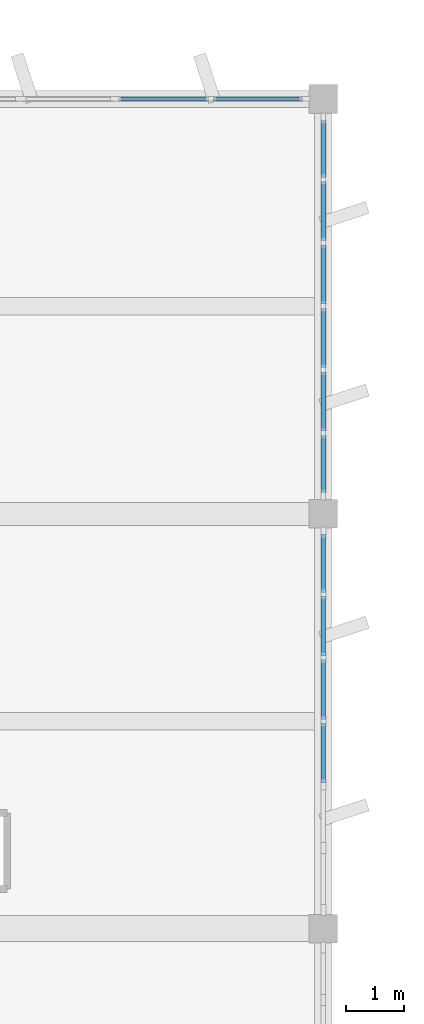
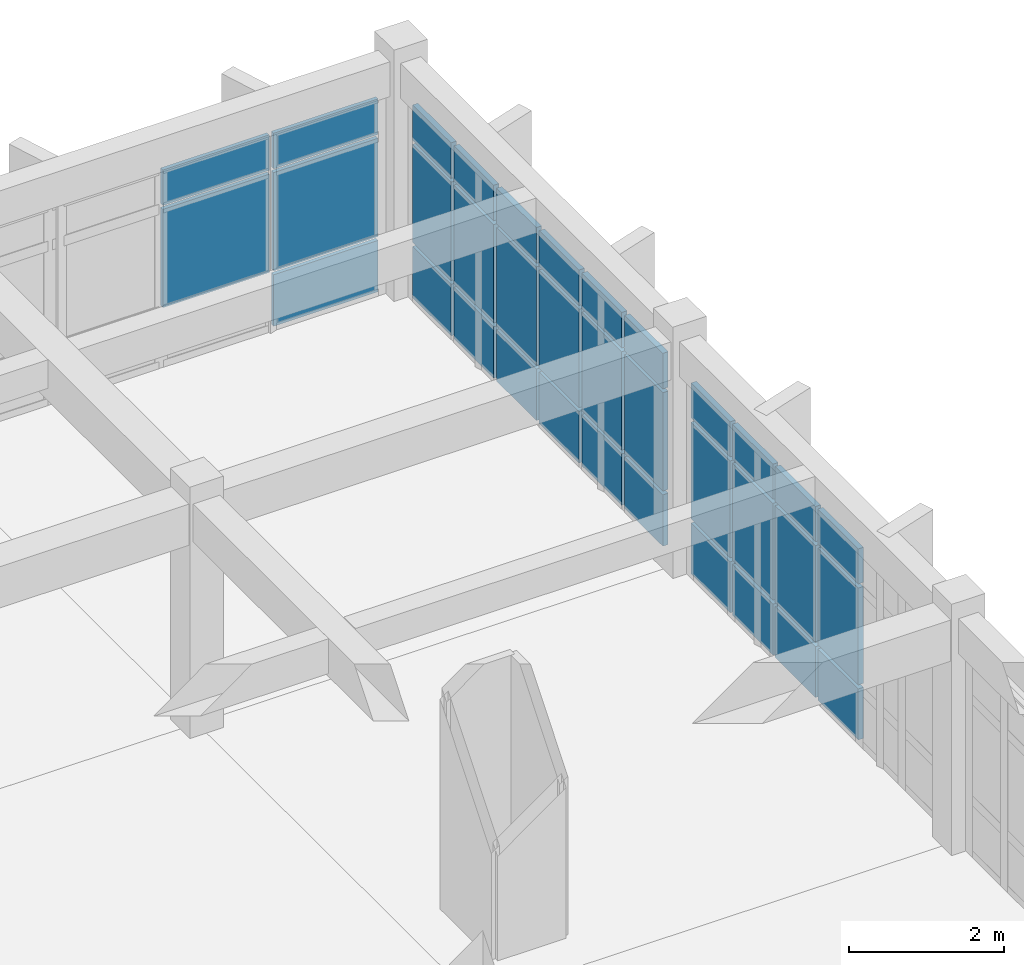
# One storey, part 28 of 40: 35 plates, 3 elements without a shape of their own.
"""IFC4 building model written with IfcOpenShell, lengths in metres."""

from ifc_helpers import new_model, si_unit, direction, frame, origin, origin_2d, place, context, subcontext, project, spatial, rectangle, extrude, material, layer, layer_set, type_object, element, aggregate, save


model = new_model("IFC4")

# Units and contexts
model_context = context("Model", 3, precision=1e-05, world=origin(), true_north=direction((0.0, 1.0)))
body_context = subcontext(model_context, "Body", "Model", "MODEL_VIEW")
ifc_project = project(units=[si_unit("LENGTHUNIT", "METRE"), si_unit("AREAUNIT", "SQUARE_METRE"), si_unit("VOLUMEUNIT", "CUBIC_METRE"), si_unit("PLANEANGLEUNIT", "RADIAN"), si_unit("MASSUNIT", "GRAM", prefix="KILO")], contexts=[model_context])

# Site, building, storey
site_placement = place(None, origin())
site = spatial("IfcSite", under=ifc_project, at=site_placement, CompositionType="ELEMENT")
building_placement = place(site_placement, origin())
building = spatial("IfcBuilding", under=site, at=building_placement, Name="Kavelor Marine Aquarium", CompositionType="ELEMENT")
storey_placement = place(building_placement, frame((0.0, 0.0, 17.639892578125)))
storey = spatial("IfcBuildingStorey", under=building, at=storey_placement, Name="L04", CompositionType="ELEMENT", Elevation=17.639892578125)

# Curtain wall, plates
ifc_material_1 = material(Name="Thermally Broken Aluminium and Low-E Glass", Category="aluminium")
ifc_layer_1 = layer(ifc_material_1, 0.27587890625)
ifc_layer_set_1 = layer_set([ifc_layer_1], Name="CW-SYS17")
curtain_wall_type_1 = type_object("IfcCurtainWallType", Name="CW-SYS17", PredefinedType="USERDEFINED", material=ifc_layer_set_1)
curtain_wall_1_placement = place(storey_placement, origin())
curtain_wall_1 = element("IfcCurtainWall", 1, at=curtain_wall_1_placement, inside=storey, type_object=curtain_wall_type_1, Name="cw:x:L04:19_15", ObjectType="Curtain Wall", PredefinedType="USERDEFINED")
ifc_material_2 = material(Name="Solar-Control Double Low-E Glazing", Category="glass")
ifc_layer_2 = layer(ifc_material_2, 0.05810546875)
ifc_layer_set_2 = layer_set([ifc_layer_2], Name="CWP-17")
plate_type_1 = type_object("IfcPlateType", Name="CWP-17", PredefinedType="CURTAIN_PANEL", material=ifc_layer_set_2)
plate_1_placement = place(storey_placement, frame((144.42626953125, 110.800048828125, 0.93017578125), z_axis=(0.0, 0.0, 1.0), x_axis=(1.0, 0.0, 0.0)))
plate_1 = element("IfcPlate", 2, at=plate_1_placement, type_object=plate_type_1, Name="CW17 panel 3.2", PredefinedType="CURTAIN_PANEL", context=body_context, shape_type="SweptSolid", body=[
    extrude(rectangle(XDim=1.58740234375, YDim=0.05810546875, at=origin_2d()), origin(), (0.0, 0.0, 1.0), 1.550048828125),
])
plate_2_placement = place(storey_placement, frame((144.42626953125, 110.800048828125, 2.5400390625), z_axis=(0.0, 0.0, 1.0), x_axis=(1.0, 0.0, 0.0)))
plate_2 = element("IfcPlate", 3, at=plate_2_placement, type_object=plate_type_1, Name="CW17 panel 3.3", PredefinedType="CURTAIN_PANEL", context=body_context, shape_type="SweptSolid", body=[
    extrude(rectangle(XDim=1.58740234375, YDim=0.05810546875, at=origin_2d()), origin(), (0.0, 0.0, 1.0), 0.56005859375),
])
plate_3_placement = place(storey_placement, frame((146.0625, 110.800048828125, 0.06005859375), z_axis=(0.0, 0.0, 1.0), x_axis=(1.0, 0.0, 0.0)))
plate_3 = element("IfcPlate", 4, at=plate_3_placement, type_object=plate_type_1, Name="CW17 panel 4.1", PredefinedType="CURTAIN_PANEL", context=body_context, shape_type="SweptSolid", body=[
    extrude(rectangle(XDim=1.554931640625, YDim=0.05810546875, at=origin_2d()), origin(), (0.0, 0.0, 1.0), 0.81005859375),
])
plate_4_placement = place(storey_placement, frame((146.0625, 110.800048828125, 0.93017578125), z_axis=(0.0, 0.0, 1.0), x_axis=(1.0, 0.0, 0.0)))
plate_4 = element("IfcPlate", 5, at=plate_4_placement, type_object=plate_type_1, Name="CW17 panel 4.2", PredefinedType="CURTAIN_PANEL", context=body_context, shape_type="SweptSolid", body=[
    extrude(rectangle(XDim=1.554931640625, YDim=0.05810546875, at=origin_2d()), origin(), (0.0, 0.0, 1.0), 1.550048828125),
])
plate_5_placement = place(storey_placement, frame((146.0625, 110.800048828125, 2.5400390625), z_axis=(0.0, 0.0, 1.0), x_axis=(1.0, 0.0, 0.0)))
plate_5 = element("IfcPlate", 6, at=plate_5_placement, type_object=plate_type_1, Name="CW17 panel 4.3", PredefinedType="CURTAIN_PANEL", context=body_context, shape_type="SweptSolid", body=[
    extrude(rectangle(XDim=1.554931640625, YDim=0.05810546875, at=origin_2d()), origin(), (0.0, 0.0, 1.0), 0.56005859375),
])
aggregate(curtain_wall_1, [plate_1, plate_2, plate_3, plate_4, plate_5])

ifc_material_3 = material(Name="Thermally Broken Aluminium and Low-E Glass", Category="aluminium")
ifc_layer_3 = layer(ifc_material_3, 0.1640625)
ifc_layer_set_3 = layer_set([ifc_layer_3], Name="CW-SYS3")
curtain_wall_type_2 = type_object("IfcCurtainWallType", Name="CW-SYS3", PredefinedType="USERDEFINED", material=ifc_layer_set_3)
curtain_wall_2_placement = place(storey_placement, origin())
curtain_wall_2 = element("IfcCurtainWall", 7, at=curtain_wall_2_placement, inside=storey, type_object=curtain_wall_type_2, Name="cw:y:L04:20_13", ObjectType="Curtain Wall", PredefinedType="USERDEFINED")
ifc_material_4 = material(Name="Solar-Control Double Low-E Glazing", Category="glass")
ifc_layer_4 = layer(ifc_material_4, 0.077880859375)
ifc_layer_set_4 = layer_set([ifc_layer_4], Name="CWP-27")
plate_type_2 = type_object("IfcPlateType", Name="CWP-27", PredefinedType="CURTAIN_PANEL", material=ifc_layer_set_4)
plate_6_placement = place(storey_placement, frame((147.199951171875, 99.44921875, 0.06494140625), z_axis=(0.0, 0.0, 1.0), x_axis=(0.0, 1.0, 0.0)))
plate_6 = element("IfcPlate", 8, at=plate_6_placement, type_object=plate_type_2, Name="CW03 panel 3.1", PredefinedType="CURTAIN_PANEL", context=body_context, shape_type="SweptSolid", body=[
    extrude(rectangle(XDim=1.041748046875, YDim=0.077880859375, at=origin_2d()), origin(), (0.0, 0.0, 1.0), 0.802490234375),
])
plate_7_placement = place(storey_placement, frame((147.199951171875, 99.44921875, 0.9326171875), z_axis=(0.0, 0.0, 1.0), x_axis=(0.0, 1.0, 0.0)))
plate_7 = element("IfcPlate", 9, at=plate_7_placement, type_object=plate_type_2, Name="CW03 panel 3.2", PredefinedType="CURTAIN_PANEL", context=body_context, shape_type="SweptSolid", body=[
    extrude(rectangle(XDim=1.041748046875, YDim=0.077880859375, at=origin_2d()), origin(), (0.0, 0.0, 1.0), 1.52490234375),
])
plate_8_placement = place(storey_placement, frame((147.199951171875, 99.44921875, 2.5224609375), z_axis=(0.0, 0.0, 1.0), x_axis=(0.0, 1.0, 0.0)))
plate_8 = element("IfcPlate", 10, at=plate_8_placement, type_object=plate_type_2, Name="CW03 panel 3.3", PredefinedType="CURTAIN_PANEL", context=body_context, shape_type="SweptSolid", body=[
    extrude(rectangle(XDim=1.041748046875, YDim=0.077880859375, at=origin_2d()), origin(), (0.0, 0.0, 1.0), 0.552490234375),
])
plate_9_placement = place(storey_placement, frame((147.199951171875, 100.55078125, 0.06494140625), z_axis=(0.0, 0.0, 1.0), x_axis=(0.0, 1.0, 0.0)))
plate_9 = element("IfcPlate", 11, at=plate_9_placement, type_object=plate_type_2, Name="CW03 panel 4.1", PredefinedType="CURTAIN_PANEL", context=body_context, shape_type="SweptSolid", body=[
    extrude(rectangle(XDim=1.041748046875, YDim=0.077880859375, at=origin_2d()), origin(), (0.0, 0.0, 1.0), 0.802490234375),
])
plate_10_placement = place(storey_placement, frame((147.199951171875, 100.55078125, 0.9326171875), z_axis=(0.0, 0.0, 1.0), x_axis=(0.0, 1.0, 0.0)))
plate_10 = element("IfcPlate", 12, at=plate_10_placement, type_object=plate_type_2, Name="CW03 panel 4.2", PredefinedType="CURTAIN_PANEL", context=body_context, shape_type="SweptSolid", body=[
    extrude(rectangle(XDim=1.041748046875, YDim=0.077880859375, at=origin_2d()), origin(), (0.0, 0.0, 1.0), 1.52490234375),
])
plate_11_placement = place(storey_placement, frame((147.199951171875, 100.55078125, 2.5224609375), z_axis=(0.0, 0.0, 1.0), x_axis=(0.0, 1.0, 0.0)))
plate_11 = element("IfcPlate", 13, at=plate_11_placement, type_object=plate_type_2, Name="CW03 panel 4.3", PredefinedType="CURTAIN_PANEL", context=body_context, shape_type="SweptSolid", body=[
    extrude(rectangle(XDim=1.041748046875, YDim=0.077880859375, at=origin_2d()), origin(), (0.0, 0.0, 1.0), 0.552490234375),
])
plate_12_placement = place(storey_placement, frame((147.199951171875, 101.652587890625, 0.06494140625), z_axis=(0.0, 0.0, 1.0), x_axis=(0.0, 1.0, 0.0)))
plate_12 = element("IfcPlate", 14, at=plate_12_placement, type_object=plate_type_2, Name="CW03 panel 5.1", PredefinedType="CURTAIN_PANEL", context=body_context, shape_type="SweptSolid", body=[
    extrude(rectangle(XDim=1.041748046875, YDim=0.077880859375, at=origin_2d()), origin(), (0.0, 0.0, 1.0), 0.802490234375),
])
plate_13_placement = place(storey_placement, frame((147.199951171875, 101.652587890625, 0.9326171875), z_axis=(0.0, 0.0, 1.0), x_axis=(0.0, 1.0, 0.0)))
plate_13 = element("IfcPlate", 15, at=plate_13_placement, type_object=plate_type_2, Name="CW03 panel 5.2", PredefinedType="CURTAIN_PANEL", context=body_context, shape_type="SweptSolid", body=[
    extrude(rectangle(XDim=1.041748046875, YDim=0.077880859375, at=origin_2d()), origin(), (0.0, 0.0, 1.0), 1.52490234375),
])
plate_14_placement = place(storey_placement, frame((147.199951171875, 101.652587890625, 2.5224609375), z_axis=(0.0, 0.0, 1.0), x_axis=(0.0, 1.0, 0.0)))
plate_14 = element("IfcPlate", 16, at=plate_14_placement, type_object=plate_type_2, Name="CW03 panel 5.3", PredefinedType="CURTAIN_PANEL", context=body_context, shape_type="SweptSolid", body=[
    extrude(rectangle(XDim=1.041748046875, YDim=0.077880859375, at=origin_2d()), origin(), (0.0, 0.0, 1.0), 0.552490234375),
])
plate_15_placement = place(storey_placement, frame((147.199951171875, 102.7392578125, 0.06494140625), z_axis=(0.0, 0.0, 1.0), x_axis=(0.0, 1.0, 0.0)))
plate_15 = element("IfcPlate", 17, at=plate_15_placement, type_object=plate_type_2, Name="CW03 panel 6.1", PredefinedType="CURTAIN_PANEL", context=body_context, shape_type="SweptSolid", body=[
    extrude(rectangle(XDim=1.01171875, YDim=0.077880859375, at=origin_2d()), origin(), (0.0, 0.0, 1.0), 0.802490234375),
])
plate_16_placement = place(storey_placement, frame((147.199951171875, 102.7392578125, 0.9326171875), z_axis=(0.0, 0.0, 1.0), x_axis=(0.0, 1.0, 0.0)))
plate_16 = element("IfcPlate", 18, at=plate_16_placement, type_object=plate_type_2, Name="CW03 panel 6.2", PredefinedType="CURTAIN_PANEL", context=body_context, shape_type="SweptSolid", body=[
    extrude(rectangle(XDim=1.01171875, YDim=0.077880859375, at=origin_2d()), origin(), (0.0, 0.0, 1.0), 1.52490234375),
])
plate_17_placement = place(storey_placement, frame((147.199951171875, 102.7392578125, 2.5224609375), z_axis=(0.0, 0.0, 1.0), x_axis=(0.0, 1.0, 0.0)))
plate_17 = element("IfcPlate", 19, at=plate_17_placement, type_object=plate_type_2, Name="CW03 panel 6.3", PredefinedType="CURTAIN_PANEL", context=body_context, shape_type="SweptSolid", body=[
    extrude(rectangle(XDim=1.01171875, YDim=0.077880859375, at=origin_2d()), origin(), (0.0, 0.0, 1.0), 0.552490234375),
])
aggregate(curtain_wall_2, [plate_6, plate_7, plate_8, plate_9, plate_10, plate_11, plate_12, plate_13, plate_14, plate_15, plate_16, plate_17])

ifc_material_5 = material(Name="Thermally Broken Aluminium and Low-E Glass", Category="aluminium")
ifc_layer_5 = layer(ifc_material_5, 0.172119140625)
ifc_layer_set_5 = layer_set([ifc_layer_5], Name="CW-SYS4")
curtain_wall_type_3 = type_object("IfcCurtainWallType", Name="CW-SYS4", PredefinedType="USERDEFINED", material=ifc_layer_set_5)
curtain_wall_3_placement = place(storey_placement, origin())
curtain_wall_3 = element("IfcCurtainWall", 20, at=curtain_wall_3_placement, inside=storey, type_object=curtain_wall_type_3, Name="cw:y:L04:20_14", ObjectType="Curtain Wall", PredefinedType="USERDEFINED")
ifc_material_6 = material(Name="Solar-Control Double Low-E Glazing", Category="glass")
ifc_layer_6 = layer(ifc_material_6, 0.080078125)
ifc_layer_set_6 = layer_set([ifc_layer_6], Name="CWP-28")
plate_type_3 = type_object("IfcPlateType", Name="CWP-28", PredefinedType="CURTAIN_PANEL", material=ifc_layer_set_6)
plate_18_placement = place(storey_placement, frame((147.199951171875, 104.464599609375, 0.06005859375), z_axis=(0.0, 0.0, 1.0), x_axis=(0.0, 1.0, 0.0)))
plate_18 = element("IfcPlate", 21, at=plate_18_placement, type_object=plate_type_3, Name="CW04 panel 1.1", PredefinedType="CURTAIN_PANEL", context=body_context, shape_type="SweptSolid", body=[
    extrude(rectangle(XDim=0.9892578125, YDim=0.080078125, at=origin_2d()), origin(), (0.0, 0.0, 1.0), 0.81005859375),
])
plate_19_placement = place(storey_placement, frame((147.199951171875, 104.464599609375, 0.93017578125), z_axis=(0.0, 0.0, 1.0), x_axis=(0.0, 1.0, 0.0)))
plate_19 = element("IfcPlate", 22, at=plate_19_placement, type_object=plate_type_3, Name="CW04 panel 1.2", PredefinedType="CURTAIN_PANEL", context=body_context, shape_type="SweptSolid", body=[
    extrude(rectangle(XDim=0.9892578125, YDim=0.080078125, at=origin_2d()), origin(), (0.0, 0.0, 1.0), 1.550048828125),
])
plate_20_placement = place(storey_placement, frame((147.199951171875, 104.464599609375, 2.5400390625), z_axis=(0.0, 0.0, 1.0), x_axis=(0.0, 1.0, 0.0)))
plate_20 = element("IfcPlate", 23, at=plate_20_placement, type_object=plate_type_3, Name="CW04 panel 1.3", PredefinedType="CURTAIN_PANEL", context=body_context, shape_type="SweptSolid", body=[
    extrude(rectangle(XDim=0.9892578125, YDim=0.080078125, at=origin_2d()), origin(), (0.0, 0.0, 1.0), 0.56005859375),
])
plate_21_placement = place(storey_placement, frame((147.199951171875, 105.547607421875, 0.06005859375), z_axis=(0.0, 0.0, 1.0), x_axis=(0.0, 1.0, 0.0)))
plate_21 = element("IfcPlate", 24, at=plate_21_placement, type_object=plate_type_3, Name="CW04 panel 2.1", PredefinedType="CURTAIN_PANEL", context=body_context, shape_type="SweptSolid", body=[
    extrude(rectangle(XDim=1.026611328125, YDim=0.080078125, at=origin_2d()), origin(), (0.0, 0.0, 1.0), 0.81005859375),
])
plate_22_placement = place(storey_placement, frame((147.199951171875, 105.547607421875, 0.93017578125), z_axis=(0.0, 0.0, 1.0), x_axis=(0.0, 1.0, 0.0)))
plate_22 = element("IfcPlate", 25, at=plate_22_placement, type_object=plate_type_3, Name="CW04 panel 2.2", PredefinedType="CURTAIN_PANEL", context=body_context, shape_type="SweptSolid", body=[
    extrude(rectangle(XDim=1.026611328125, YDim=0.080078125, at=origin_2d()), origin(), (0.0, 0.0, 1.0), 1.550048828125),
])
plate_23_placement = place(storey_placement, frame((147.199951171875, 105.547607421875, 2.5400390625), z_axis=(0.0, 0.0, 1.0), x_axis=(0.0, 1.0, 0.0)))
plate_23 = element("IfcPlate", 26, at=plate_23_placement, type_object=plate_type_3, Name="CW04 panel 2.3", PredefinedType="CURTAIN_PANEL", context=body_context, shape_type="SweptSolid", body=[
    extrude(rectangle(XDim=1.026611328125, YDim=0.080078125, at=origin_2d()), origin(), (0.0, 0.0, 1.0), 0.56005859375),
])
plate_24_placement = place(storey_placement, frame((147.199951171875, 106.649169921875, 0.06005859375), z_axis=(0.0, 0.0, 1.0), x_axis=(0.0, 1.0, 0.0)))
plate_24 = element("IfcPlate", 27, at=plate_24_placement, type_object=plate_type_3, Name="CW04 panel 3.1", PredefinedType="CURTAIN_PANEL", context=body_context, shape_type="SweptSolid", body=[
    extrude(rectangle(XDim=1.026611328125, YDim=0.080078125, at=origin_2d()), origin(), (0.0, 0.0, 1.0), 0.81005859375),
])
plate_25_placement = place(storey_placement, frame((147.199951171875, 106.649169921875, 0.93017578125), z_axis=(0.0, 0.0, 1.0), x_axis=(0.0, 1.0, 0.0)))
plate_25 = element("IfcPlate", 28, at=plate_25_placement, type_object=plate_type_3, Name="CW04 panel 3.2", PredefinedType="CURTAIN_PANEL", context=body_context, shape_type="SweptSolid", body=[
    extrude(rectangle(XDim=1.026611328125, YDim=0.080078125, at=origin_2d()), origin(), (0.0, 0.0, 1.0), 1.550048828125),
])
plate_26_placement = place(storey_placement, frame((147.199951171875, 106.649169921875, 2.5400390625), z_axis=(0.0, 0.0, 1.0), x_axis=(0.0, 1.0, 0.0)))
plate_26 = element("IfcPlate", 29, at=plate_26_placement, type_object=plate_type_3, Name="CW04 panel 3.3", PredefinedType="CURTAIN_PANEL", context=body_context, shape_type="SweptSolid", body=[
    extrude(rectangle(XDim=1.026611328125, YDim=0.080078125, at=origin_2d()), origin(), (0.0, 0.0, 1.0), 0.56005859375),
])
plate_27_placement = place(storey_placement, frame((147.199951171875, 107.750732421875, 0.06005859375), z_axis=(0.0, 0.0, 1.0), x_axis=(0.0, 1.0, 0.0)))
plate_27 = element("IfcPlate", 30, at=plate_27_placement, type_object=plate_type_3, Name="CW04 panel 4.1", PredefinedType="CURTAIN_PANEL", context=body_context, shape_type="SweptSolid", body=[
    extrude(rectangle(XDim=1.026611328125, YDim=0.080078125, at=origin_2d()), origin(), (0.0, 0.0, 1.0), 0.81005859375),
])
plate_28_placement = place(storey_placement, frame((147.199951171875, 107.750732421875, 0.93017578125), z_axis=(0.0, 0.0, 1.0), x_axis=(0.0, 1.0, 0.0)))
plate_28 = element("IfcPlate", 31, at=plate_28_placement, type_object=plate_type_3, Name="CW04 panel 4.2", PredefinedType="CURTAIN_PANEL", context=body_context, shape_type="SweptSolid", body=[
    extrude(rectangle(XDim=1.026611328125, YDim=0.080078125, at=origin_2d()), origin(), (0.0, 0.0, 1.0), 1.550048828125),
])
plate_29_placement = place(storey_placement, frame((147.199951171875, 107.750732421875, 2.5400390625), z_axis=(0.0, 0.0, 1.0), x_axis=(0.0, 1.0, 0.0)))
plate_29 = element("IfcPlate", 32, at=plate_29_placement, type_object=plate_type_3, Name="CW04 panel 4.3", PredefinedType="CURTAIN_PANEL", context=body_context, shape_type="SweptSolid", body=[
    extrude(rectangle(XDim=1.026611328125, YDim=0.080078125, at=origin_2d()), origin(), (0.0, 0.0, 1.0), 0.56005859375),
])
plate_30_placement = place(storey_placement, frame((147.199951171875, 108.8525390625, 0.06005859375), z_axis=(0.0, 0.0, 1.0), x_axis=(0.0, 1.0, 0.0)))
plate_30 = element("IfcPlate", 33, at=plate_30_placement, type_object=plate_type_3, Name="CW04 panel 5.1", PredefinedType="CURTAIN_PANEL", context=body_context, shape_type="SweptSolid", body=[
    extrude(rectangle(XDim=1.026611328125, YDim=0.080078125, at=origin_2d()), origin(), (0.0, 0.0, 1.0), 0.81005859375),
])
plate_31_placement = place(storey_placement, frame((147.199951171875, 108.8525390625, 0.93017578125), z_axis=(0.0, 0.0, 1.0), x_axis=(0.0, 1.0, 0.0)))
plate_31 = element("IfcPlate", 34, at=plate_31_placement, type_object=plate_type_3, Name="CW04 panel 5.2", PredefinedType="CURTAIN_PANEL", context=body_context, shape_type="SweptSolid", body=[
    extrude(rectangle(XDim=1.026611328125, YDim=0.080078125, at=origin_2d()), origin(), (0.0, 0.0, 1.0), 1.550048828125),
])
plate_32_placement = place(storey_placement, frame((147.199951171875, 108.8525390625, 2.5400390625), z_axis=(0.0, 0.0, 1.0), x_axis=(0.0, 1.0, 0.0)))
plate_32 = element("IfcPlate", 35, at=plate_32_placement, type_object=plate_type_3, Name="CW04 panel 5.3", PredefinedType="CURTAIN_PANEL", context=body_context, shape_type="SweptSolid", body=[
    extrude(rectangle(XDim=1.026611328125, YDim=0.080078125, at=origin_2d()), origin(), (0.0, 0.0, 1.0), 0.56005859375),
])
plate_33_placement = place(storey_placement, frame((147.199951171875, 109.935302734375, 0.06005859375), z_axis=(0.0, 0.0, 1.0), x_axis=(0.0, 1.0, 0.0)))
plate_33 = element("IfcPlate", 36, at=plate_33_placement, type_object=plate_type_3, Name="CW04 panel 6.1", PredefinedType="CURTAIN_PANEL", context=body_context, shape_type="SweptSolid", body=[
    extrude(rectangle(XDim=0.9892578125, YDim=0.080078125, at=origin_2d()), origin(), (0.0, 0.0, 1.0), 0.81005859375),
])
plate_34_placement = place(storey_placement, frame((147.199951171875, 109.935302734375, 0.93017578125), z_axis=(0.0, 0.0, 1.0), x_axis=(0.0, 1.0, 0.0)))
plate_34 = element("IfcPlate", 37, at=plate_34_placement, type_object=plate_type_3, Name="CW04 panel 6.2", PredefinedType="CURTAIN_PANEL", context=body_context, shape_type="SweptSolid", body=[
    extrude(rectangle(XDim=0.9892578125, YDim=0.080078125, at=origin_2d()), origin(), (0.0, 0.0, 1.0), 1.550048828125),
])
plate_35_placement = place(storey_placement, frame((147.199951171875, 109.935302734375, 2.5400390625), z_axis=(0.0, 0.0, 1.0), x_axis=(0.0, 1.0, 0.0)))
plate_35 = element("IfcPlate", 38, at=plate_35_placement, type_object=plate_type_3, Name="CW04 panel 6.3", PredefinedType="CURTAIN_PANEL", context=body_context, shape_type="SweptSolid", body=[
    extrude(rectangle(XDim=0.9892578125, YDim=0.080078125, at=origin_2d()), origin(), (0.0, 0.0, 1.0), 0.56005859375),
])
aggregate(curtain_wall_3, [plate_18, plate_19, plate_20, plate_21, plate_22, plate_23, plate_24, plate_25, plate_26, plate_27, plate_28, plate_29, plate_30, plate_31, plate_32, plate_33, plate_34, plate_35])

save(model, "model.ifc")
